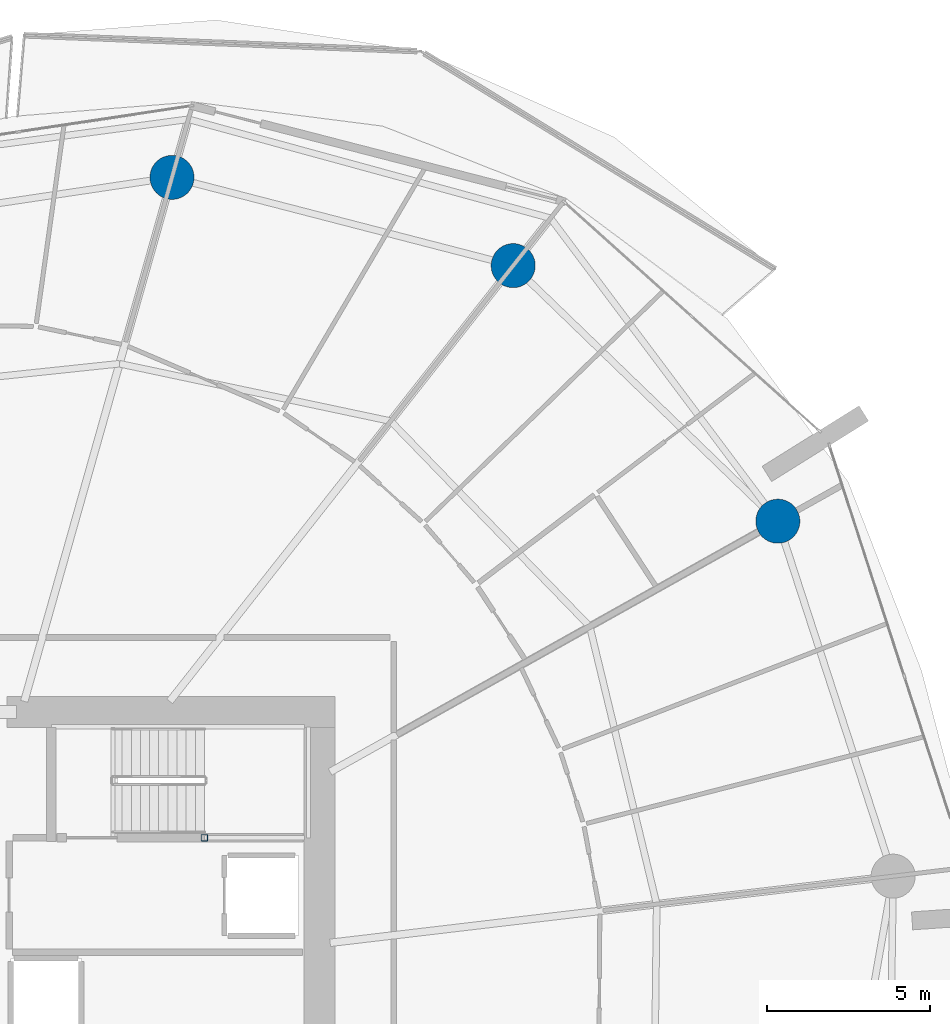
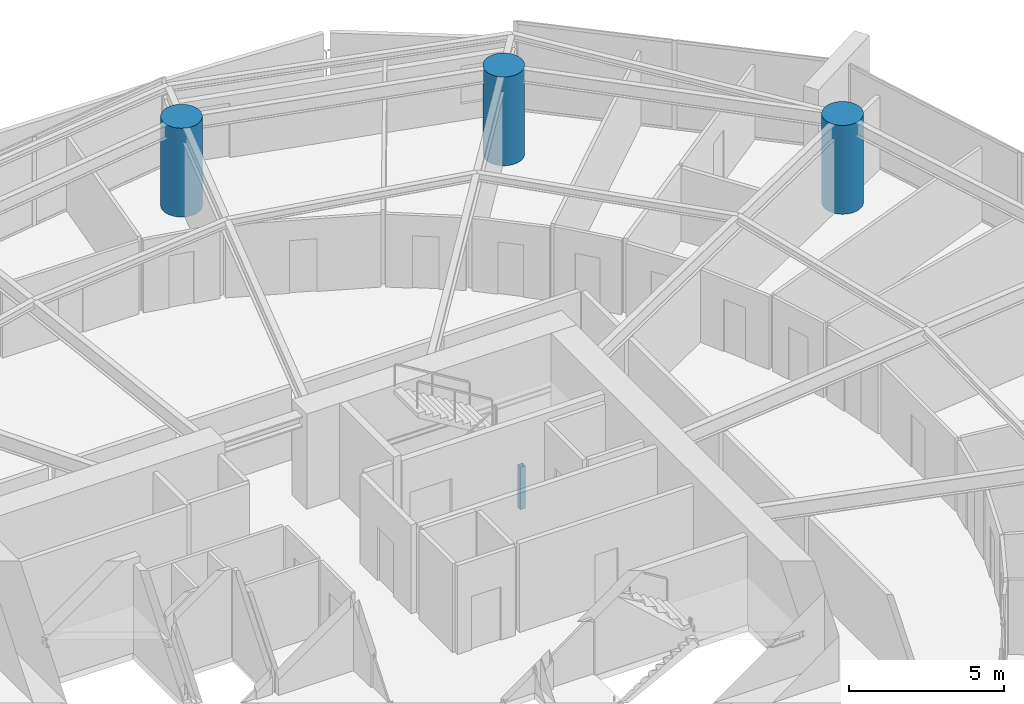
# One storey, part 5 of 31: 4 columns.
"""IFC4 building model written with IfcOpenShell, lengths in metres."""

from ifc_helpers import new_model, si_unit, direction, frame, origin, origin_2d, place, context, subcontext, project, spatial, hollow_rectangle, circle, extrude, material, material_profile, profile_set, type_object, element, save


model = new_model("IFC4")

# Units and contexts
model_context = context("Model", 3, precision=1e-05, world=origin(), true_north=direction((0.0, 1.0)))
body_context = subcontext(model_context, "Body", "Model", "MODEL_VIEW")
ifc_project = project(units=[si_unit("LENGTHUNIT", "METRE"), si_unit("AREAUNIT", "SQUARE_METRE"), si_unit("VOLUMEUNIT", "CUBIC_METRE"), si_unit("PLANEANGLEUNIT", "RADIAN"), si_unit("MASSUNIT", "GRAM", prefix="KILO")], contexts=[model_context])

# Site, building, storey
site_placement = place(None, origin())
site = spatial("IfcSite", under=ifc_project, at=site_placement, CompositionType="ELEMENT")
building_placement = place(site_placement, origin())
building = spatial("IfcBuilding", under=site, at=building_placement, Name="Kazma Halo Residences", CompositionType="ELEMENT")
storey_placement = place(building_placement, frame((0.0, 0.0, 37.64990234375)))
storey = spatial("IfcBuildingStorey", under=building, at=storey_placement, Name="L08", CompositionType="ELEMENT", Elevation=37.64990234375)

# Columns
ifc_material_1 = material(Name="Steel S355", Category="steel")
ifc_material_profile_1 = material_profile(ifc_material_1, hollow_rectangle(XDim=0.199951171875, YDim=0.199951171875, WallThickness=0.010009765625, InnerFilletRadius=0.010009765625, OuterFilletRadius=0.02001953125, at=origin_2d()), Name="SHS200x200x10")
ifc_profile_set_1 = profile_set([ifc_material_profile_1], Name="Steel S355")
column_type_1 = type_object("IfcColumnType", Name="COL-LP-SHS200", PredefinedType="COLUMN", material=ifc_profile_set_1)
column_placement = place(storey_placement, frame((56.0, 46.6201171875, 0.0), z_axis=(0.0, 0.0, 1.0), x_axis=(1.0, 0.0, 0.0)))
element("IfcColumn", 1, at=column_placement, inside=storey, type_object=column_type_1, Name="L08 ST-02 landing pilaster 1", PredefinedType="COLUMN", context=body_context, shape_type="SweptSolid", body=[
    extrude(hollow_rectangle(XDim=0.199951171875, YDim=0.199951171875, WallThickness=0.010009765625, InnerFilletRadius=0.010009765625, OuterFilletRadius=0.02001953125, at=origin_2d()), origin(), (0.0, 0.0, 1.0), 1.670166015625),
])
ifc_material_2 = material(Name="Concrete C80/95", Category="concrete")
ifc_material_profile_2 = material_profile(ifc_material_2, circle(Radius=0.675048828125, at=origin_2d()), Name="CIRC1350")
ifc_profile_set_2 = profile_set([ifc_material_profile_2], Name="Concrete C80/95")
column_type_2 = type_object("IfcColumnType", Name="COL-PERIM-1350", PredefinedType="COLUMN", material=ifc_profile_set_2)
for number, where, z_axis, x_axis, name in (
    (2, (73.56494140625, 56.317138671875, 0.0), (0.0, 0.0, 1.0), (1.0, 0.0, 0.0), "L08 perimeter ring column P01"),
    (3, (65.458251953125, 64.145751953125, 0.0), (0.0, 0.0, 1.0), (1.0, 0.0, 0.0), "L08 perimeter ring column P02"),
    (4, (55.00830078125, 66.849365234375, 0.0), (0.0, 0.0, 1.0), (1.0, 0.0, 0.0), "L08 perimeter ring column P03"),
):
    element("IfcColumn", number, at=place(storey_placement, frame(where, z_axis=z_axis, x_axis=x_axis)), inside=storey, type_object=column_type_2, Name=name, PredefinedType="COLUMN", context=body_context, shape_type="SweptSolid", body=[
        extrude(circle(Radius=0.675048828125, at=origin_2d()), origin(), (0.0, 0.0, 1.0), 3.5),
    ])

save(model, "model.ifc")
